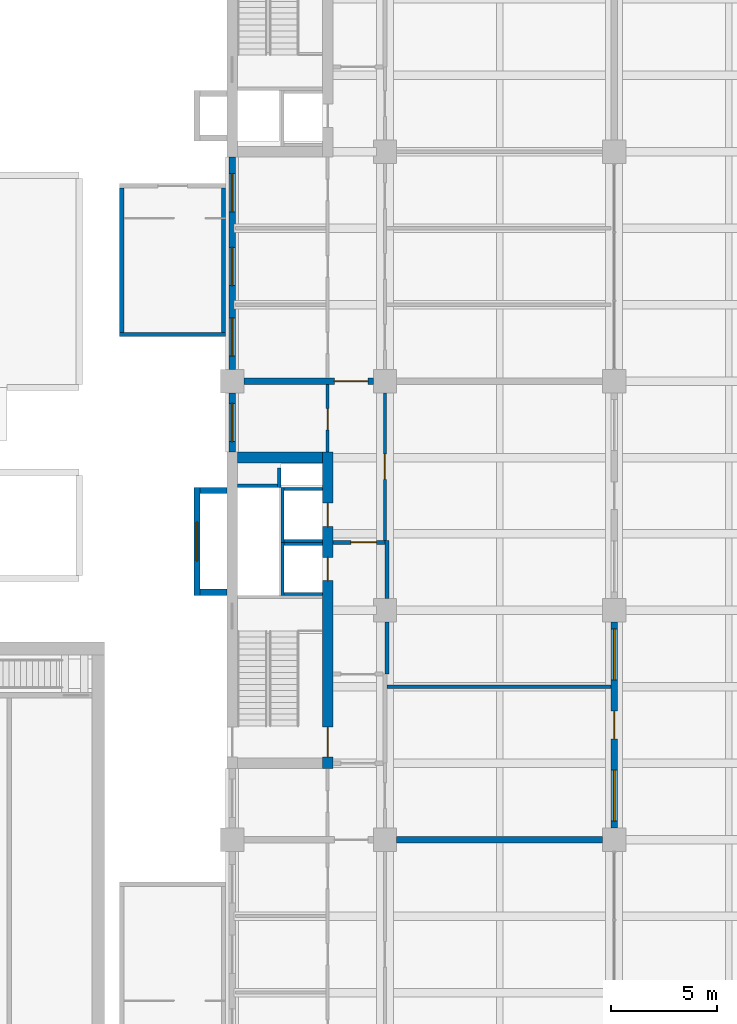
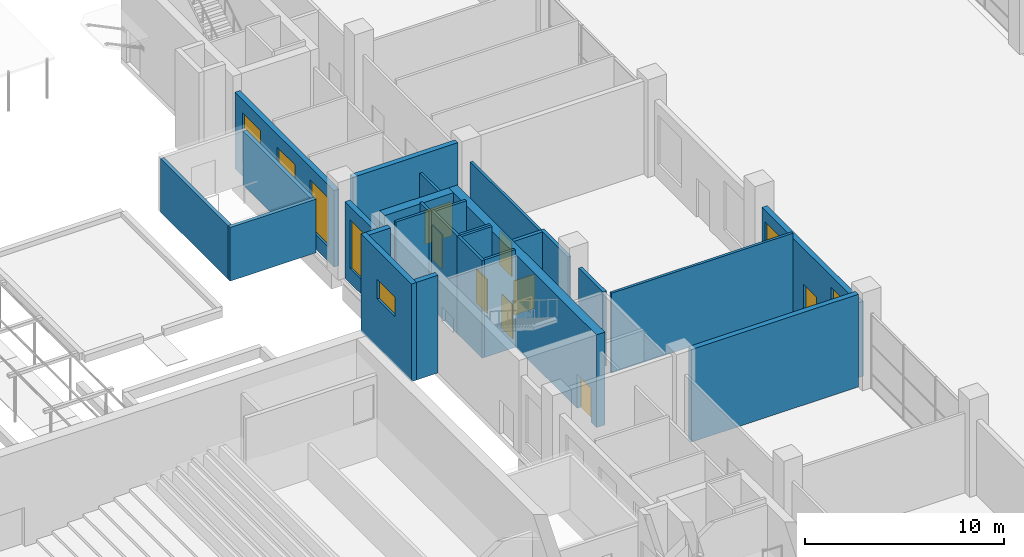
# One storey, part 49 of 71: 27 walls, 8 doors, 7 windows, 15 openings.
"""IFC4 building model written with IfcOpenShell, lengths in metres."""

import ifcopenshell
import ifcopenshell.guid

model = None  # the IFC model being written
_history = None  # IfcOwnerHistory: only IFC2X3 demands one
_inside = {}  # id of a spatial element -> (the spatial element, [elements in it])
_under = {}  # id of a project, library or spatial element -> (it, [spatial elements below it])
_declared = {}  # id of a project -> (the project, [libraries it declares])
_typed = {}  # id of a type object -> (the type object, [elements of that type])
_made_of = {}  # id of a material, layer set ... -> (it, [elements and type objects made of it])


def new_model(schema):
    """Start an empty IFC model of exactly this schema.

    Asked for "IFC4X3", IfcOpenShell would pick the latest addendum, in which some entities
    have other attributes; the version numbers below select the first issue.
    IFC2X3 requires an IfcOwnerHistory on every rooted entity: one is made here for all.
    """
    global model, _history
    if schema == "IFC4X3":
        model = ifcopenshell.file(schema_version=(4, 3, 0, 0))
    else:
        model = ifcopenshell.file(schema=schema)
    _inside.clear()
    _under.clear()
    _declared.clear()
    _typed.clear()
    _made_of.clear()
    _history = None
    if model.schema == "IFC2X3":
        org = make("IfcOrganization", Name="unknown")
        user = make(
            "IfcPersonAndOrganization",
            ThePerson=make("IfcPerson", FamilyName="unknown"),
            TheOrganization=org,
        )
        app = make(
            "IfcApplication",
            ApplicationDeveloper=org,
            Version="unknown",
            ApplicationFullName="unknown",
            ApplicationIdentifier="unknown",
        )
        _history = make(
            "IfcOwnerHistory",
            OwningUser=user,
            OwningApplication=app,
            ChangeAction="ADDED",
            CreationDate=0,
        )
    return model


def make(cls, **values):
    """One entity of the class cls with the attributes given. An attribute that is None is left unset."""
    return model.create_entity(
        cls, **{name: value for name, value in values.items() if value is not None}
    )


def rooted(cls, **values):
    """An entity with a GlobalId (a new one), such as an element, a storey or a relation."""
    return make(cls, GlobalId=ifcopenshell.guid.new(), OwnerHistory=_history, **values)


def si_unit(unit_type, name, prefix=None):
    """IfcSIUnit, for example si_unit("LENGTHUNIT", "METRE", prefix="MILLI")."""
    return make("IfcSIUnit", UnitType=unit_type, Prefix=prefix, Name=name)


def assignment(units):
    """IfcUnitAssignment: the units of a project."""
    return None if units is None else make("IfcUnitAssignment", Units=units)


def point(xyz):
    """IfcCartesianPoint."""
    return None if xyz is None else make("IfcCartesianPoint", Coordinates=xyz)


def direction(xyz):
    """IfcDirection."""
    return None if xyz is None else make("IfcDirection", DirectionRatios=xyz)


def frame(location, z_axis=None, x_axis=None):
    """IfcAxis2Placement3D, a coordinate frame: its origin and axes. An axis left out is left unset."""
    return make(
        "IfcAxis2Placement3D",
        Location=point(location),
        Axis=direction(z_axis),
        RefDirection=direction(x_axis),
    )


def frame_2d(location, x_axis=None):
    """IfcAxis2Placement2D, a coordinate frame in the plane: its origin and x axis."""
    return make(
        "IfcAxis2Placement2D", Location=point(location), RefDirection=direction(x_axis)
    )


def origin():
    """The frame at (0, 0, 0) with its axes left unset."""
    return frame((0.0, 0.0, 0.0))


def place(relative_to, where):
    """IfcLocalPlacement: puts the frame where relative to a parent placement (None: the world)."""
    return make(
        "IfcLocalPlacement", PlacementRelTo=relative_to, RelativePlacement=where
    )


def context(
    kind, dimensions, precision=None, world=None, true_north=None, identifier=None
):
    """IfcGeometricRepresentationContext, for example the 3D "Model" context."""
    return make(
        "IfcGeometricRepresentationContext",
        ContextIdentifier=identifier,
        ContextType=kind,
        CoordinateSpaceDimension=dimensions,
        Precision=precision,
        WorldCoordinateSystem=world,
        TrueNorth=true_north,
    )


def subcontext(parent, identifier, kind, view, scale=None):
    """IfcGeometricRepresentationSubContext, for example "Body" below "Model"."""
    return make(
        "IfcGeometricRepresentationSubContext",
        ContextIdentifier=identifier,
        ContextType=kind,
        ParentContext=parent,
        TargetScale=scale,
        TargetView=view,
    )


def project(units=None, contexts=None):
    """IfcProject with its units and contexts."""
    return rooted(
        "IfcProject",
        Name="project",
        RepresentationContexts=contexts,
        UnitsInContext=assignment(units),
    )


def spatial(cls, under=None, at=None, **own):
    """A site, building, storey or space (cls), placed at a placement, below another one or the project."""
    s = rooted(cls, ObjectPlacement=at, **own)
    if under is not None:
        _under.setdefault(under.id(), (under, []))[1].append(s)
    return s


def profile(cls, at=None, kind="AREA", **sizes):
    """A parametric profile (cls). Its sizes go by their IFC names, for example OverallWidth=200.0."""
    return make(cls, ProfileType=kind, Position=at, **sizes)


def rectangle(**sizes):
    """IfcRectangleProfileDef."""
    return profile("IfcRectangleProfileDef", **sizes)


def extrude(swept, where, along, depth):
    """IfcExtrudedAreaSolid: the profile swept, set in the frame where, extruded along a direction by depth."""
    return make(
        "IfcExtrudedAreaSolid",
        SweptArea=swept,
        Position=where,
        ExtrudedDirection=direction(along),
        Depth=depth,
    )


def shape(context_of_items, identifier, shape_type, items):
    """IfcShapeRepresentation: the items that make up one representation, for example the "Body"."""
    return make(
        "IfcShapeRepresentation",
        ContextOfItems=context_of_items,
        RepresentationIdentifier=identifier,
        RepresentationType=shape_type,
        Items=items,
    )


def material(Name=None, Category=None):
    """IfcMaterial."""
    return make("IfcMaterial", Name=Name, Category=Category)


def layer(
    of_material, thickness, ventilated=None, Name=None, Category=None, Priority=None
):
    """IfcMaterialLayer: one layer of a wall or slab, of a material (None: an air gap)."""
    return make(
        "IfcMaterialLayer",
        Material=of_material,
        LayerThickness=thickness,
        IsVentilated=ventilated,
        Name=Name,
        Category=Category,
        Priority=Priority,
    )


def layer_set(layers, Name=None):
    """IfcMaterialLayerSet."""
    return make("IfcMaterialLayerSet", MaterialLayers=layers, LayerSetName=Name)


def made_of(thing, what):
    """Note that an element or type object is made of a material, layer set ...; save() writes the relation."""
    if what is not None:
        _made_of.setdefault(what.id(), (what, []))[1].append(thing)
    return thing


def type_object(cls, material=None, **own):
    """A type object (cls), such as IfcWallType, which elements share."""
    return made_of(rooted(cls, **own), material)


def element(
    cls,
    number,
    at=None,
    inside=None,
    cuts=None,
    type_object=None,
    material=None,
    context=None,
    identifier="Body",
    shape_type=None,
    held_by="IfcProductDefinitionShape",
    body=None,
    shapes=None,
    **own,
):
    """One element of the class cls, such as IfcWall. Its Tag is "e" and its number.

    at: its placement. inside: the storey or other place that contains it. cuts: it is an
    opening in that element (IfcRelVoidsElement). A single representation is given by context,
    identifier, shape_type and body (its items); several are given by shapes. held_by: the class
    of the entity that holds the representations. save() writes the other relations.
    """
    e = rooted(cls, Tag="e%d" % number, ObjectPlacement=at, **own)
    if body is not None:
        shapes = [shape(context, identifier, shape_type, body)]
    if shapes is not None:
        e.Representation = make(held_by, Representations=shapes)
    if inside is not None:
        _inside.setdefault(inside.id(), (inside, []))[1].append(e)
    if cuts is not None:
        rooted(
            "IfcRelVoidsElement", RelatingBuildingElement=cuts, RelatedOpeningElement=e
        )
    if type_object is not None:
        _typed.setdefault(type_object.id(), (type_object, []))[1].append(e)
    return made_of(e, material)


def fill(opening, filler):
    """IfcRelFillsElement: the door or window that sits in an opening."""
    return rooted(
        "IfcRelFillsElement",
        RelatingOpeningElement=opening,
        RelatedBuildingElement=filler,
    )


def aggregate(whole, parts):
    """IfcRelAggregates: a whole, such as a stair, and the parts it consists of."""
    return rooted("IfcRelAggregates", RelatingObject=whole, RelatedObjects=parts)


def save(model, path):
    """Write the relations noted so far, then the file.

    IfcRelAggregates (storeys below a building ...), IfcRelContainedInSpatialStructure (elements
    in a storey), IfcRelDefinesByType, IfcRelAssociatesMaterial and IfcRelDeclares: one each for
    every whole, place, type object, material and project.
    """
    for whole, parts in _under.values():
        aggregate(whole, parts)
    for where, things in _inside.values():
        rooted(
            "IfcRelContainedInSpatialStructure",
            RelatedElements=things,
            RelatingStructure=where,
        )
    for kind, things in _typed.values():
        rooted("IfcRelDefinesByType", RelatedObjects=things, RelatingType=kind)
    for what, things in _made_of.values():
        rooted("IfcRelAssociatesMaterial", RelatedObjects=things, RelatingMaterial=what)
    for by, libraries in _declared.values():
        rooted("IfcRelDeclares", RelatingContext=by, RelatedDefinitions=libraries)
    model.write(path)


model = new_model("IFC4")

# Units and contexts
model_context = context("Model", 3, precision=1e-05, world=origin(), true_north=direction((0.0, 1.0)))
body_context = subcontext(model_context, "Body", "Model", "MODEL_VIEW")
ifc_project = project(units=[si_unit("LENGTHUNIT", "METRE"), si_unit("AREAUNIT", "SQUARE_METRE"), si_unit("VOLUMEUNIT", "CUBIC_METRE"), si_unit("PLANEANGLEUNIT", "RADIAN"), si_unit("MASSUNIT", "GRAM", prefix="KILO")], contexts=[model_context])

# Site, building, storey
site_placement = place(None, origin())
site = spatial("IfcSite", under=ifc_project, at=site_placement, CompositionType="ELEMENT")
building_placement = place(site_placement, origin())
building = spatial("IfcBuilding", under=site, at=building_placement, Name="Basin Gate Institute", CompositionType="ELEMENT")
storey_placement = place(building_placement, origin())
storey = spatial("IfcBuildingStorey", under=building, at=storey_placement, Name="L00", CompositionType="ELEMENT", Elevation=0.0)

# Wall, openings, door, windows
ifc_material_1 = material(Name="Fire-resisting board wall assembly")
ifc_layer_1 = layer(ifc_material_1, 0.300048828125)
ifc_layer_set_1 = layer_set([ifc_layer_1], Name="Atrium enclosure wall EW4")
wall_type_1 = type_object("IfcWallType", Name="Atrium enclosure wall EW4", PredefinedType="STANDARD", material=ifc_layer_set_1)
wall_1_placement = place(storey_placement, frame((79.199951171875, 57.25, 0.0), z_axis=(0.0, 0.0, 1.0), x_axis=(0.0, 1.0, 0.0)))
wall_1 = element("IfcWall", 1, at=wall_1_placement, inside=storey, type_object=wall_type_1, material=ifc_layer_set_1, Name="Atrium enclosure wall W wing bay 3 L00", PredefinedType="STANDARD", context=body_context, shape_type="SweptSolid", body=[
    extrude(rectangle(XDim=9.699951171875, YDim=0.300048828125, at=frame_2d((4.85009765625, 0.0))), origin(), (0.0, 0.0, 1.0), 4.60009765625),
])
opening_1_placement = place(wall_1_placement, frame((0.324951171875, 0.0, 0.89990234375)))
opening_1 = element("IfcOpeningElement", 2, at=opening_1_placement, cuts=wall_1, Name="Opening WN5", PredefinedType="OPENING", context=body_context, shape_type="SweptSolid", body=[
    extrude(rectangle(XDim=2.39990234375, YDim=3.0, at=frame_2d((1.199951171875, 1.5))), frame((0.0, 0.16015625, 0.0), z_axis=(0.0, -1.0, 0.0), x_axis=(1.0, 0.0, 0.0)), (0.0, 0.0, 1.0), 0.320068359375),
])
opening_2_placement = place(wall_1_placement, frame((6.97509765625, 0.0, 0.89990234375)))
opening_2 = element("IfcOpeningElement", 3, at=opening_2_placement, cuts=wall_1, Name="Opening WN5", PredefinedType="OPENING", context=body_context, shape_type="SweptSolid", body=[
    extrude(rectangle(XDim=2.39990234375, YDim=3.0, at=frame_2d((1.199951171875, 1.5))), frame((0.0, 0.16015625, 0.0), z_axis=(0.0, -1.0, 0.0), x_axis=(1.0, 0.0, 0.0)), (0.0, 0.0, 1.0), 0.320068359375),
])
opening_3_placement = place(wall_1_placement, frame((4.199951171875, 0.0, 0.0)))
opening_3 = element("IfcOpeningElement", 4, at=opening_3_placement, cuts=wall_1, Name="Opening ED101", PredefinedType="OPENING", context=body_context, shape_type="SweptSolid", body=[
    extrude(rectangle(XDim=1.300048828125, YDim=2.39990234375, at=frame_2d((0.64990234375, 1.199951171875))), frame((0.0, 0.16015625, 0.0), z_axis=(0.0, -1.0, 0.0), x_axis=(1.0, 0.0, 0.0)), (0.0, 0.0, 1.0), 0.320068359375),
])
ifc_material_2 = material(Name="Fire-resisting glazed door in aluminium frame", Category="aluminium")
door_type_1 = type_object("IfcDoorType", Name="Atrium fire door FD60A", OperationType="NOTDEFINED", PredefinedType="DOOR", material=ifc_material_2)
door_1_placement = place(opening_3_placement, frame((1.300048828125, 0.0, 0.0), z_axis=(0.0, 0.0, 1.0), x_axis=(-1.0, 0.0, 0.0)))
door_1 = element("IfcDoor", 5, at=door_1_placement, inside=storey, type_object=door_type_1, material=ifc_material_2, Name="Atrium fire door W wing bay 3", OperationType="SINGLE_SWING_RIGHT", OverallHeight=2.39990234375, OverallWidth=1.300048828125, PredefinedType="DOOR", context=body_context, shape_type="SweptSolid", body=[
    extrude(rectangle(XDim=1.300048828125, YDim=2.39990234375, at=frame_2d((0.64990234375, 1.199951171875))), frame((0.0, 0.02490234375, 0.0), z_axis=(0.0, -1.0, 0.0), x_axis=(1.0, 0.0, 0.0)), (0.0, 0.0, 1.0), 0.050048828125),
])
fill(opening_3, door_1)
ifc_material_3 = material(Name="Fire-resistant glazing in steel-free frame", Category="steel")
window_type_1 = type_object("IfcWindowType", Name="Fire-rated fixed window WN5", PartitioningType="SINGLE_PANEL", PredefinedType="WINDOW", material=ifc_material_3)
window_1_placement = place(opening_1_placement, origin())
window_1 = element("IfcWindow", 6, at=window_1_placement, inside=storey, type_object=window_type_1, material=ifc_material_3, Name="Fire-rated fixed window W wing bay 3 L00", OverallHeight=3.0, OverallWidth=2.39990234375, PartitioningType="SINGLE_PANEL", PredefinedType="WINDOW", context=body_context, shape_type="SweptSolid", body=[
    extrude(rectangle(XDim=2.39990234375, YDim=3.0, at=frame_2d((1.199951171875, 1.5))), frame((0.0, 0.030029296875, 0.0), z_axis=(0.0, -1.0, 0.0), x_axis=(1.0, 0.0, 0.0)), (0.0, 0.0, 1.0), 0.06005859375),
])
fill(opening_1, window_1)
window_2_placement = place(opening_2_placement, origin())
window_2 = element("IfcWindow", 7, at=window_2_placement, inside=storey, type_object=window_type_1, material=ifc_material_3, Name="Fire-rated fixed window W wing bay 3 L00", OverallHeight=3.0, OverallWidth=2.39990234375, PartitioningType="SINGLE_PANEL", PredefinedType="WINDOW", context=body_context, shape_type="SweptSolid", body=[
    extrude(rectangle(XDim=2.39990234375, YDim=3.0, at=frame_2d((1.199951171875, 1.5))), frame((0.0, 0.030029296875, 0.0), z_axis=(0.0, -1.0, 0.0), x_axis=(1.0, 0.0, 0.0)), (0.0, 0.0, 1.0), 0.06005859375),
])
fill(opening_2, window_2)

# Wall, opening, door
ifc_material_4 = material(Name="Fire-rated masonry", Category="masonry")
ifc_layer_2 = layer(ifc_material_4, 0.199951171875)
ifc_layer_set_2 = layer_set([ifc_layer_2], Name="Enclosure wall PW2 200 EI 60")
wall_type_2 = type_object("IfcWallType", Name="Enclosure wall PW2 200 EI 60", PredefinedType="PARTITIONING", material=ifc_layer_set_2)
wall_2_placement = place(storey_placement, frame((65.949951171875, 70.699951171875, 0.0), z_axis=(0.0, 0.0, 1.0), x_axis=(1.0, 0.0, 0.0)))
wall_2 = element("IfcWall", 8, at=wall_2_placement, inside=storey, type_object=wall_type_2, material=ifc_layer_set_2, Name="Emergency lift lobby wall PW2 L00", PredefinedType="PARTITIONING", context=body_context, shape_type="SweptSolid", body=[
    extrude(rectangle(XDim=2.449951171875, YDim=0.199951171875, at=frame_2d((1.22509765625, 0.0))), origin(), (0.0, 0.0, 1.0), 4.60009765625),
])
opening_4_placement = place(wall_2_placement, frame((0.85009765625, 0.0, 0.0)))
opening_4 = element("IfcOpeningElement", 9, at=opening_4_placement, cuts=wall_2, Name="Opening DR038", PredefinedType="OPENING", context=body_context, shape_type="SweptSolid", body=[
    extrude(rectangle(XDim=1.199951171875, YDim=2.10009765625, at=frame_2d((0.60009765625, 1.050048828125))), frame((0.0, 0.10986328125, 0.0), z_axis=(0.0, -1.0, 0.0), x_axis=(1.0, 0.0, 0.0)), (0.0, 0.0, 1.0), 0.219970703125),
])
ifc_material_5 = material(Name="Steel fire door", Category="steel")
door_type_2 = type_object("IfcDoorType", Name="FD60 Emergency lift lobby door D9", OperationType="NOTDEFINED", PredefinedType="DOOR", material=ifc_material_5)
door_2_placement = place(opening_4_placement, frame((1.199951171875, 0.0, 0.0), z_axis=(0.0, 0.0, 1.0), x_axis=(-1.0, 0.0, 0.0)))
door_2 = element("IfcDoor", 10, at=door_2_placement, inside=storey, type_object=door_type_2, material=ifc_material_5, Name="Emergency lift lobby door LF1 L00", OperationType="SINGLE_SWING_LEFT", OverallHeight=2.10009765625, OverallWidth=1.199951171875, PredefinedType="DOOR", context=body_context, shape_type="SweptSolid", body=[
    extrude(rectangle(XDim=1.199951171875, YDim=2.10009765625, at=frame_2d((0.60009765625, 1.050048828125))), frame((0.0, 0.02490234375, 0.0), z_axis=(0.0, -1.0, 0.0), x_axis=(1.0, 0.0, 0.0)), (0.0, 0.0, 1.0), 0.050048828125),
])
fill(opening_4, door_2)

# Walls
wall_3_placement = place(storey_placement, frame((68.5, 64.5, 0.0), z_axis=(0.0, 0.0, 1.0), x_axis=(0.0, 1.0, 0.0)))
element("IfcWall", 11, at=wall_3_placement, inside=storey, type_object=wall_type_2, material=ifc_layer_set_2, Name="Emergency lift lobby wall PW2 L00", PredefinedType="PARTITIONING", context=body_context, shape_type="SweptSolid", body=[
    extrude(rectangle(XDim=2.449951171875, YDim=0.199951171875, at=frame_2d((1.22509765625, 0.0))), origin(), (0.0, 0.0, 1.0), 4.60009765625),
])
wall_4_placement = place(storey_placement, frame((68.5, 68.050048828125, 0.0), z_axis=(0.0, 0.0, 1.0), x_axis=(0.0, 1.0, 0.0)))
element("IfcWall", 12, at=wall_4_placement, inside=storey, type_object=wall_type_2, material=ifc_layer_set_2, Name="Emergency lift lobby wall PW2 L00", PredefinedType="PARTITIONING", context=body_context, shape_type="SweptSolid", body=[
    extrude(rectangle(XDim=2.75, YDim=0.199951171875, at=frame_2d((1.375, 0.0))), origin(), (0.0, 0.0, 1.0), 4.60009765625),
])

# Wall, opening, window
ifc_material_6 = material(Name="Aluminium-faced insulated panel wall", Category="aluminium")
ifc_layer_3 = layer(ifc_material_6, 0.300048828125)
ifc_layer_set_3 = layer_set([ifc_layer_3], Name="External wall EW1 EI 120")
wall_type_3 = type_object("IfcWallType", Name="External wall EW1 EI 120", PredefinedType="STANDARD", material=ifc_layer_set_3)
wall_5_placement = place(storey_placement, frame((61.199951171875, 74.949951171875, 0.0), z_axis=(0.0, 0.0, 1.0), x_axis=(0.0, 1.0, 0.0)))
wall_5 = element("IfcWall", 13, at=wall_5_placement, inside=storey, type_object=wall_type_3, material=ifc_layer_set_3, Name="External wall W facade L00 3", PredefinedType="STANDARD", context=body_context, shape_type="SweptSolid", body=[
    extrude(rectangle(XDim=2.800048828125, YDim=0.300048828125, at=frame_2d((1.39990234375, 0.0))), origin(), (0.0, 0.0, 1.0), 4.699951171875),
])
opening_5_placement = place(wall_5_placement, frame((0.5, 0.0, 0.89990234375)))
opening_5 = element("IfcOpeningElement", 14, at=opening_5_placement, cuts=wall_5, Name="Opening WN2", PredefinedType="OPENING", context=body_context, shape_type="SweptSolid", body=[
    extrude(rectangle(XDim=1.800048828125, YDim=3.0, at=frame_2d((0.89990234375, 1.5))), frame((0.0, 0.16015625, 0.0), z_axis=(0.0, -1.0, 0.0), x_axis=(1.0, 0.0, 0.0)), (0.0, 0.0, 1.0), 0.320068359375),
])
ifc_material_7 = material(Name="Aluminium-framed double glazing", Category="aluminium")
window_type_2 = type_object("IfcWindowType", Name="Podium window WN2", PartitioningType="SINGLE_PANEL", PredefinedType="WINDOW", material=ifc_material_7)
window_3_placement = place(opening_5_placement, origin())
window_3 = element("IfcWindow", 15, at=window_3_placement, inside=storey, type_object=window_type_2, material=ifc_material_7, Name="Podium window W facade L00 bay 12", OverallHeight=3.0, OverallWidth=1.800048828125, PartitioningType="SINGLE_PANEL", PredefinedType="WINDOW", context=body_context, shape_type="SweptSolid", body=[
    extrude(rectangle(XDim=1.800048828125, YDim=3.0, at=frame_2d((0.89990234375, 1.5))), frame((0.0, 0.030029296875, 0.0), z_axis=(0.0, -1.0, 0.0), x_axis=(1.0, 0.0, 0.0)), (0.0, 0.0, 1.0), 0.06005859375),
])
fill(opening_5, window_3)

# Wall, openings, windows
wall_6_placement = place(storey_placement, frame((61.199951171875, 78.85009765625, 0.0), z_axis=(0.0, 0.0, 1.0), x_axis=(0.0, 1.0, 0.0)))
wall_6 = element("IfcWall", 16, at=wall_6_placement, inside=storey, type_object=wall_type_3, material=ifc_layer_set_3, Name="External wall W facade L00 4", PredefinedType="STANDARD", context=body_context, shape_type="SweptSolid", body=[
    extrude(rectangle(XDim=10.0, YDim=0.300048828125, at=frame_2d((5.0, 0.0))), origin(), (0.0, 0.0, 1.0), 4.699951171875),
])
opening_6_placement = place(wall_6_placement, frame((0.625, 0.0, 0.89990234375)))
opening_6 = element("IfcOpeningElement", 17, at=opening_6_placement, cuts=wall_6, Name="Opening WN2", PredefinedType="OPENING", context=body_context, shape_type="SweptSolid", body=[
    extrude(rectangle(XDim=1.800048828125, YDim=3.0, at=frame_2d((0.89990234375, 1.5))), frame((0.0, 0.16015625, 0.0), z_axis=(0.0, -1.0, 0.0), x_axis=(1.0, 0.0, 0.0)), (0.0, 0.0, 1.0), 0.320068359375),
])
opening_7_placement = place(wall_6_placement, frame((3.949951171875, 0.0, 0.89990234375)))
opening_7 = element("IfcOpeningElement", 18, at=opening_7_placement, cuts=wall_6, Name="Opening WN2", PredefinedType="OPENING", context=body_context, shape_type="SweptSolid", body=[
    extrude(rectangle(XDim=1.800048828125, YDim=3.0, at=frame_2d((0.89990234375, 1.5))), frame((0.0, 0.16015625, 0.0), z_axis=(0.0, -1.0, 0.0), x_axis=(1.0, 0.0, 0.0)), (0.0, 0.0, 1.0), 0.320068359375),
])
opening_8_placement = place(wall_6_placement, frame((7.425048828125, 0.0, 0.89990234375)))
opening_8 = element("IfcOpeningElement", 19, at=opening_8_placement, cuts=wall_6, Name="Opening WN2", PredefinedType="OPENING", context=body_context, shape_type="SweptSolid", body=[
    extrude(rectangle(XDim=1.800048828125, YDim=3.0, at=frame_2d((0.89990234375, 1.5))), frame((0.0, 0.16015625, 0.0), z_axis=(0.0, -1.0, 0.0), x_axis=(1.0, 0.0, 0.0)), (0.0, 0.0, 1.0), 0.320068359375),
])
window_4_placement = place(opening_6_placement, origin())
window_4 = element("IfcWindow", 20, at=window_4_placement, inside=storey, type_object=window_type_2, material=ifc_material_7, Name="Podium window W facade L00 bay 13", OverallHeight=3.0, OverallWidth=1.800048828125, PartitioningType="SINGLE_PANEL", PredefinedType="WINDOW", context=body_context, shape_type="SweptSolid", body=[
    extrude(rectangle(XDim=1.800048828125, YDim=3.0, at=frame_2d((0.89990234375, 1.5))), frame((0.0, 0.030029296875, 0.0), z_axis=(0.0, -1.0, 0.0), x_axis=(1.0, 0.0, 0.0)), (0.0, 0.0, 1.0), 0.06005859375),
])
fill(opening_6, window_4)
window_5_placement = place(opening_7_placement, origin())
window_5 = element("IfcWindow", 21, at=window_5_placement, inside=storey, type_object=window_type_2, material=ifc_material_7, Name="Podium window W facade L00 bay 14", OverallHeight=3.0, OverallWidth=1.800048828125, PartitioningType="SINGLE_PANEL", PredefinedType="WINDOW", context=body_context, shape_type="SweptSolid", body=[
    extrude(rectangle(XDim=1.800048828125, YDim=3.0, at=frame_2d((0.89990234375, 1.5))), frame((0.0, 0.030029296875, 0.0), z_axis=(0.0, -1.0, 0.0), x_axis=(1.0, 0.0, 0.0)), (0.0, 0.0, 1.0), 0.06005859375),
])
fill(opening_7, window_5)
window_6_placement = place(opening_8_placement, origin())
window_6 = element("IfcWindow", 22, at=window_6_placement, inside=storey, type_object=window_type_2, material=ifc_material_7, Name="Podium window W facade L00 bay 15", OverallHeight=3.0, OverallWidth=1.800048828125, PartitioningType="SINGLE_PANEL", PredefinedType="WINDOW", context=body_context, shape_type="SweptSolid", body=[
    extrude(rectangle(XDim=1.800048828125, YDim=3.0, at=frame_2d((0.89990234375, 1.5))), frame((0.0, 0.030029296875, 0.0), z_axis=(0.0, -1.0, 0.0), x_axis=(1.0, 0.0, 0.0)), (0.0, 0.0, 1.0), 0.06005859375),
])
fill(opening_8, window_6)

# Wall, opening, door
ifc_material_8 = material(Name="Gypsum board on steel stud", Category="steel")
ifc_layer_4 = layer(ifc_material_8, 0.14990234375)
ifc_layer_set_4 = layer_set([ifc_layer_4], Name="Gypsum board on steel stud")
wall_type_4 = type_object("IfcWallType", Name="Partition PW1 150 EI 60", PredefinedType="PARTITIONING", material=ifc_layer_set_4)
wall_7_placement = place(storey_placement, frame((65.699951171875, 74.949951171875, 0.0), z_axis=(0.0, 0.0, 1.0), x_axis=(0.0, 1.0, 0.0)))
wall_7 = element("IfcWall", 23, at=wall_7_placement, inside=storey, type_object=wall_type_4, material=ifc_layer_set_4, Name="Corridor wall PW1 L00", PredefinedType="PARTITIONING", context=body_context, shape_type="SweptSolid", body=[
    extrude(rectangle(XDim=3.199951171875, YDim=0.14990234375, at=frame_2d((1.60009765625, 0.0))), origin(), (0.0, 0.0, 1.0), 4.60009765625),
])
opening_9_placement = place(wall_7_placement, frame((1.050048828125, 0.0, 0.0)))
opening_9 = element("IfcOpeningElement", 24, at=opening_9_placement, cuts=wall_7, Name="Opening DR037", PredefinedType="OPENING", context=body_context, shape_type="SweptSolid", body=[
    extrude(rectangle(XDim=1.0, YDim=2.10009765625, at=frame_2d((0.5, 1.050048828125))), frame((0.0, 0.0849609375, 0.0), z_axis=(0.0, -1.0, 0.0), x_axis=(1.0, 0.0, 0.0)), (0.0, 0.0, 1.0), 0.169921875),
])
ifc_material_9 = material(Name="Timber fire door", Category="wood")
door_type_3 = type_object("IfcDoorType", Name="FD30 Office door D1", OperationType="NOTDEFINED", PredefinedType="DOOR", material=ifc_material_9)
door_3_placement = place(opening_9_placement, origin())
door_3 = element("IfcDoor", 25, at=door_3_placement, inside=storey, type_object=door_type_3, material=ifc_material_9, Name="Door to Write-up Office 0005 L00", OperationType="SINGLE_SWING_LEFT", OverallHeight=2.10009765625, OverallWidth=1.0, PredefinedType="DOOR", context=body_context, shape_type="SweptSolid", body=[
    extrude(rectangle(XDim=1.0, YDim=2.10009765625, at=frame_2d((0.5, 1.050048828125))), frame((0.0, 0.02490234375, 0.0), z_axis=(0.0, -1.0, 0.0), x_axis=(1.0, 0.0, 0.0)), (0.0, 0.0, 1.0), 0.050048828125),
])
fill(opening_9, door_3)

wall_8_placement = place(storey_placement, frame((68.39990234375, 70.800048828125, 0.0), z_axis=(0.0, 0.0, 1.0), x_axis=(0.0, 1.0, 0.0)))
wall_8 = element("IfcWall", 26, at=wall_8_placement, inside=storey, type_object=wall_type_4, material=ifc_layer_set_4, Name="Laboratory corridor wall PW1 L00", PredefinedType="PARTITIONING", context=body_context, shape_type="SweptSolid", body=[
    extrude(rectangle(XDim=6.949951171875, YDim=0.14990234375, at=frame_2d((3.47509765625, 0.0))), origin(), (0.0, 0.0, 1.0), 4.60009765625),
])
opening_10_placement = place(wall_8_placement, frame((2.875, 0.0, 0.0)))
opening_10 = element("IfcOpeningElement", 27, at=opening_10_placement, cuts=wall_8, Name="Opening DR028", PredefinedType="OPENING", context=body_context, shape_type="SweptSolid", body=[
    extrude(rectangle(XDim=1.199951171875, YDim=2.10009765625, at=frame_2d((0.60009765625, 1.050048828125))), frame((0.0, 0.0849609375, 0.0), z_axis=(0.0, -1.0, 0.0), x_axis=(1.0, 0.0, 0.0)), (0.0, 0.0, 1.0), 0.169921875),
])
ifc_material_10 = material(Name="Timber fire door", Category="wood")
door_type_4 = type_object("IfcDoorType", Name="FD30 Laboratory door D2", OperationType="DOUBLE_DOOR_SINGLE_SWING", PredefinedType="DOOR", material=ifc_material_10)
door_4_placement = place(opening_10_placement, frame((1.199951171875, 0.0, 0.0), z_axis=(0.0, 0.0, 1.0), x_axis=(-1.0, 0.0, 0.0)))
door_4 = element("IfcDoor", 28, at=door_4_placement, inside=storey, type_object=door_type_4, material=ifc_material_10, Name="Door to Exhibition Gallery 0020 L00", OperationType="DOUBLE_DOOR_SINGLE_SWING", OverallHeight=2.10009765625, OverallWidth=1.199951171875, PredefinedType="DOOR", context=body_context, shape_type="SweptSolid", body=[
    extrude(rectangle(XDim=1.199951171875, YDim=2.10009765625, at=frame_2d((0.60009765625, 1.050048828125))), frame((0.0, 0.02490234375, 0.0), z_axis=(0.0, -1.0, 0.0), x_axis=(1.0, 0.0, 0.0)), (0.0, 0.0, 1.0), 0.050048828125),
])
fill(opening_10, door_4)

# Walls
wall_9_placement = place(storey_placement, frame((68.5, 63.89990234375, 0.0), z_axis=(0.0, 0.0, 1.0), x_axis=(1.0, 0.0, 0.0)))
element("IfcWall", 29, at=wall_9_placement, inside=storey, type_object=wall_type_4, material=ifc_layer_set_4, Name="Laboratory partition PW1 L00", PredefinedType="PARTITIONING", context=body_context, shape_type="SweptSolid", body=[
    extrude(rectangle(XDim=10.550048828125, YDim=0.14990234375, at=frame_2d((5.27490234375, 0.0))), origin(), (0.0, 0.0, 1.0), 4.89990234375),
])
ifc_material_11 = material(Name="Concrete 35 MPa", Category="concrete")
ifc_layer_5 = layer(ifc_material_11, 0.199951171875)
ifc_layer_set_5 = layer_set([ifc_layer_5], Name="Concrete 35 MPa")
wall_type_5 = type_object("IfcWallType", Name="Stair head house wall 200", PredefinedType="SOLIDWALL", material=ifc_layer_set_5)
wall_10_placement = place(storey_placement, frame((55.89990234375, 80.5, 0.0), z_axis=(0.0, 0.0, 1.0), x_axis=(1.0, 0.0, 0.0)))
element("IfcWall", 30, at=wall_10_placement, inside=storey, type_object=wall_type_5, material=ifc_layer_set_5, Name="Stair head house BS2 wall", PredefinedType="SOLIDWALL", context=body_context, shape_type="SweptSolid", body=[
    extrude(rectangle(XDim=5.0, YDim=0.199951171875, at=frame_2d((2.5, 0.0))), origin(), (0.0, 0.0, 1.0), 3.300048828125),
])
for number, where, z_axis, x_axis, name in (
    (31, (56.0, 80.60009765625, 0.0), (0.0, 0.0, 1.0), (0.0, 1.0, 0.0), "Stair head house BS2 wall"),
    (32, (60.800048828125, 80.60009765625, 0.0), (0.0, 0.0, 1.0), (0.0, 1.0, 0.0), "Stair head house BS2 wall"),
):
    element("IfcWall", number, at=place(storey_placement, frame(where, z_axis=z_axis, x_axis=x_axis)), inside=storey, type_object=wall_type_5, material=ifc_layer_set_5, Name=name, PredefinedType="SOLIDWALL", context=body_context, shape_type="SweptSolid", body=[
        extrude(rectangle(XDim=6.7998046875, YDim=0.199951171875, at=frame_2d((3.39990234375, 0.0))), origin(), (0.0, 0.0, 1.0), 3.300048828125),
    ])
ifc_material_12 = material(Name="Concrete 40 MPa", Category="concrete")
ifc_layer_6 = layer(ifc_material_12, 0.14990234375)
ifc_layer_set_6 = layer_set([ifc_layer_6], Name="Concrete 40 MPa")
wall_type_6 = type_object("IfcWallType", Name="Wall LS1 lift shaft enclosure R180", PredefinedType="SOLIDWALL", material=ifc_layer_set_6)
wall_11_placement = place(storey_placement, frame((63.574951171875, 68.199951171875, 0.0), z_axis=(0.0, 0.0, 1.0), x_axis=(0.0, 1.0, 0.0)))
element("IfcWall", 33, at=wall_11_placement, inside=storey, type_object=wall_type_6, material=ifc_layer_set_6, Name="Lift shaft enclosure LF1 L00 UL", PredefinedType="SOLIDWALL", context=body_context, shape_type="SweptSolid", body=[
    extrude(rectangle(XDim=2.5, YDim=0.14990234375, at=frame_2d((1.25, 0.0))), origin(), (0.0, 0.0, 1.0), 6.0),
])
for number, where, z_axis, x_axis, name in (
    (34, (63.64990234375, 68.27490234375, 0.0), (0.0, 0.0, 1.0), (1.0, 0.0, 0.0), "Lift shaft enclosure LF1 L00 RL"),
    (35, (63.64990234375, 70.625, 0.0), (0.0, 0.0, 1.0), (1.0, 0.0, 0.0), "Lift shaft enclosure LF1 L00 RH"),
):
    element("IfcWall", number, at=place(storey_placement, frame(where, z_axis=z_axis, x_axis=x_axis)), inside=storey, type_object=wall_type_6, material=ifc_layer_set_6, Name=name, PredefinedType="SOLIDWALL", context=body_context, shape_type="SweptSolid", body=[
        extrude(rectangle(XDim=1.800048828125, YDim=0.14990234375, at=frame_2d((0.89990234375, 0.0))), origin(), (0.0, 0.0, 1.0), 6.0),
    ])
wall_12_placement = place(storey_placement, frame((63.574951171875, 70.699951171875, 0.0), z_axis=(0.0, 0.0, 1.0), x_axis=(0.0, 1.0, 0.0)))
element("IfcWall", 36, at=wall_12_placement, inside=storey, type_object=wall_type_6, material=ifc_layer_set_6, Name="Lift shaft enclosure LP2 L00 UL", PredefinedType="SOLIDWALL", context=body_context, shape_type="SweptSolid", body=[
    extrude(rectangle(XDim=2.60009765625, YDim=0.14990234375, at=frame_2d((1.300048828125, 0.0))), origin(), (0.0, 0.0, 1.0), 6.0),
])
for number, where, z_axis, x_axis, name in (
    (37, (63.64990234375, 70.77490234375, 0.0), (0.0, 0.0, 1.0), (1.0, 0.0, 0.0), "Lift shaft enclosure LP2 L00 RL"),
    (38, (63.64990234375, 73.22509765625, 0.0), (0.0, 0.0, 1.0), (1.0, 0.0, 0.0), "Lift shaft enclosure LP2 L00 RH"),
):
    element("IfcWall", number, at=place(storey_placement, frame(where, z_axis=z_axis, x_axis=x_axis)), inside=storey, type_object=wall_type_6, material=ifc_layer_set_6, Name=name, PredefinedType="SOLIDWALL", context=body_context, shape_type="SweptSolid", body=[
        extrude(rectangle(XDim=1.800048828125, YDim=0.14990234375, at=frame_2d((0.89990234375, 0.0))), origin(), (0.0, 0.0, 1.0), 6.0),
    ])
ifc_material_13 = material(Name="Concrete 40 MPa", Category="concrete")
ifc_layer_7 = layer(ifc_material_13, 0.14990234375)
ifc_layer_set_7 = layer_set([ifc_layer_7], Name="Concrete 40 MPa")
wall_type_7 = type_object("IfcWallType", Name="Wall RS1 riser shaft enclosure R180", PredefinedType="SOLIDWALL", material=ifc_layer_set_7)
wall_13_placement = place(storey_placement, frame((61.449951171875, 73.375, 0.0), z_axis=(0.0, 0.0, 1.0), x_axis=(1.0, 0.0, 0.0)))
element("IfcWall", 39, at=wall_13_placement, inside=storey, type_object=wall_type_7, material=ifc_layer_set_7, Name="Riser shaft enclosure WM L00 N", PredefinedType="SOLIDWALL", context=body_context, shape_type="SweptSolid", body=[
    extrude(rectangle(XDim=1.900146484375, YDim=0.14990234375, at=frame_2d((0.9501953125, 0.0))), origin(), (0.0, 0.0, 1.0), 6.0),
])
wall_14_placement = place(storey_placement, frame((63.425048828125, 73.300048828125, 0.0), z_axis=(0.0, 0.0, 1.0), x_axis=(0.0, 1.0, 0.0)))
element("IfcWall", 40, at=wall_14_placement, inside=storey, type_object=wall_type_7, material=ifc_layer_set_7, Name="Riser shaft enclosure WM L00 W", PredefinedType="SOLIDWALL", context=body_context, shape_type="SweptSolid", body=[
    extrude(rectangle(XDim=0.89990234375, YDim=0.14990234375, at=frame_2d((0.449951171875, 0.0))), origin(), (0.0, 0.0, 1.0), 6.0),
])

# Wall, opening, window
ifc_material_14 = material(Name="Concrete 50 MPa", Category="concrete")
ifc_layer_8 = layer(ifc_material_14, 0.300048828125)
ifc_layer_set_8 = layer_set([ifc_layer_8], Name="Concrete 50 MPa")
wall_type_8 = type_object("IfcWallType", Name="Wall SK1 R180", PredefinedType="SHEAR", material=ifc_layer_set_8)
wall_15_placement = place(storey_placement, frame((59.550048828125, 68.199951171875, 0.0), z_axis=(0.0, 0.0, 1.0), x_axis=(0.0, 1.0, 0.0)))
wall_15 = element("IfcWall", 41, at=wall_15_placement, inside=storey, type_object=wall_type_8, material=ifc_layer_set_8, Name="Spine riser stack wall SK1 WM F L00", PredefinedType="SHEAR", context=body_context, shape_type="SweptSolid", body=[
    extrude(rectangle(XDim=5.10009765625, YDim=0.300048828125, at=frame_2d((2.550048828125, 0.0))), origin(), (0.0, 0.0, 1.0), 6.0),
])
opening_11_placement = place(wall_15_placement, frame((1.64990234375, 0.0, 3.0)))
opening_11 = element("IfcOpeningElement", 42, at=opening_11_placement, cuts=wall_15, Name="Opening WL1", PredefinedType="OPENING", context=body_context, shape_type="SweptSolid", body=[
    extrude(rectangle(XDim=1.800048828125, YDim=1.199951171875, at=frame_2d((0.89990234375, 0.60009765625))), frame((0.0, 0.16015625, 0.0), z_axis=(0.0, -1.0, 0.0), x_axis=(1.0, 0.0, 0.0)), (0.0, 0.0, 1.0), 0.320068359375),
])
ifc_material_15 = material(Name="Aluminium louvre blades with fire damper", Category="aluminium")
window_type_3 = type_object("IfcWindowType", Name="Riser louvre EI 180 WL1", PartitioningType="SINGLE_PANEL", PredefinedType="WINDOW", material=ifc_material_15)
window_7_placement = place(opening_11_placement, origin())
window_7 = element("IfcWindow", 43, at=window_7_placement, inside=storey, type_object=window_type_3, material=ifc_material_15, Name="Riser louvre EI 180 WM riser 1 L00", OverallHeight=1.199951171875, OverallWidth=1.800048828125, PartitioningType="SINGLE_PANEL", PredefinedType="WINDOW", context=body_context, shape_type="SweptSolid", body=[
    extrude(rectangle(XDim=1.800048828125, YDim=1.199951171875, at=frame_2d((0.89990234375, 0.60009765625))), frame((0.0, 0.030029296875, 0.0), z_axis=(0.0, -1.0, 0.0), x_axis=(1.0, 0.0, 0.0)), (0.0, 0.0, 1.0), 0.06005859375),
])
fill(opening_11, window_7)

# Walls
for number, where, z_axis, x_axis, name in (
    (44, (60.949951171875, 68.35009765625, 0.0), (0.0, 0.0, 1.0), (-1.0, 0.0, 0.0), "Spine riser stack wall SK1 WM A L00"),
    (45, (60.949951171875, 73.14990234375, 0.0), (0.0, 0.0, 1.0), (-1.0, 0.0, 0.0), "Spine riser stack wall SK1 WM B L00"),
):
    element("IfcWall", number, at=place(storey_placement, frame(where, z_axis=z_axis, x_axis=x_axis)), inside=storey, type_object=wall_type_8, material=ifc_layer_set_8, Name=name, PredefinedType="SHEAR", context=body_context, shape_type="SweptSolid", body=[
        extrude(rectangle(XDim=1.25, YDim=0.300048828125, at=frame_2d((0.625, 0.0))), origin(), (0.0, 0.0, 1.0), 6.0),
    ])

# Wall, openings, doors
ifc_material_16 = material(Name="Concrete 60 MPa", Category="concrete")
ifc_layer_9 = layer(ifc_material_16, 0.5)
ifc_layer_set_9 = layer_set([ifc_layer_9], Name="Concrete 60 MPa")
wall_type_9 = type_object("IfcWallType", Name="Wall SW1 R180", PredefinedType="SHEAR", material=ifc_layer_set_9)
wall_16_placement = place(storey_placement, frame((65.699951171875, 60.050048828125, 0.0), z_axis=(0.0, 0.0, 1.0), x_axis=(0.0, 1.0, 0.0)))
wall_16 = element("IfcWall", 46, at=wall_16_placement, inside=storey, type_object=wall_type_9, material=ifc_layer_set_9, Name="WALL/L00/WM/C", PredefinedType="SHEAR", context=body_context, shape_type="SweptSolid", body=[
    extrude(rectangle(XDim=14.89990234375, YDim=0.5, at=frame_2d((7.449951171875, 0.0))), origin(), (0.0, 0.0, 1.0), 5.699951171875),
])
opening_12_placement = place(wall_16_placement, frame((0.550048828125, 0.0, 0.0)))
opening_12 = element("IfcOpeningElement", 47, at=opening_12_placement, cuts=wall_16, Name="Opening DS002", PredefinedType="OPENING", context=body_context, shape_type="SweptSolid", body=[
    extrude(rectangle(XDim=1.39990234375, YDim=2.10009765625, at=frame_2d((0.699951171875, 1.050048828125))), frame((0.0, 0.260009765625, 0.0), z_axis=(0.0, -1.0, 0.0), x_axis=(1.0, 0.0, 0.0)), (0.0, 0.0, 1.0), 0.52001953125),
])
opening_13_placement = place(wall_16_placement, frame((8.85009765625, 0.0, 0.0)))
opening_13 = element("IfcOpeningElement", 48, at=opening_13_placement, cuts=wall_16, Name="Opening LD020", PredefinedType="OPENING", context=body_context, shape_type="SweptSolid", body=[
    extrude(rectangle(XDim=1.10009765625, YDim=2.10009765625, at=frame_2d((0.550048828125, 1.050048828125))), frame((0.0, 0.260009765625, 0.0), z_axis=(0.0, -1.0, 0.0), x_axis=(1.0, 0.0, 0.0)), (0.0, 0.0, 1.0), 0.52001953125),
])
opening_14_placement = place(wall_16_placement, frame((11.39990234375, 0.0, 0.0)))
opening_14 = element("IfcOpeningElement", 49, at=opening_14_placement, cuts=wall_16, Name="Opening LD038", PredefinedType="OPENING", context=body_context, shape_type="SweptSolid", body=[
    extrude(rectangle(XDim=1.10009765625, YDim=2.10009765625, at=frame_2d((0.550048828125, 1.050048828125))), frame((0.0, 0.260009765625, 0.0), z_axis=(0.0, -1.0, 0.0), x_axis=(1.0, 0.0, 0.0)), (0.0, 0.0, 1.0), 0.52001953125),
])
ifc_material_17 = material(Name="Steel fire door", Category="steel")
door_type_5 = type_object("IfcDoorType", Name="FD60 Exit-level stair enclosure door DSX", OperationType="DOUBLE_DOOR_SINGLE_SWING", PredefinedType="DOOR", material=ifc_material_17)
door_5_placement = place(opening_12_placement, origin())
door_5 = element("IfcDoor", 50, at=door_5_placement, inside=storey, type_object=door_type_5, material=ifc_material_17, Name="Stair enclosure door ST-WM L00", OperationType="DOUBLE_DOOR_SINGLE_SWING", OverallHeight=2.10009765625, OverallWidth=1.39990234375, PredefinedType="DOOR", context=body_context, shape_type="SweptSolid", body=[
    extrude(rectangle(XDim=1.39990234375, YDim=2.10009765625, at=frame_2d((0.699951171875, 1.050048828125))), frame((0.0, 0.02490234375, 0.0), z_axis=(0.0, -1.0, 0.0), x_axis=(1.0, 0.0, 0.0)), (0.0, 0.0, 1.0), 0.050048828125),
])
fill(opening_12, door_5)
ifc_material_18 = material(Name="Stainless steel", Category="steel")
door_type_6 = type_object("IfcDoorType", Name="FD60 Lift landing door LD", OperationType="SLIDING_TO_LEFT", PredefinedType="DOOR", material=ifc_material_18)
door_6_placement = place(opening_13_placement, origin())
door_6 = element("IfcDoor", 51, at=door_6_placement, inside=storey, type_object=door_type_6, material=ifc_material_18, Name="Lift landing door LF1 L00", OperationType="SLIDING_TO_LEFT", OverallHeight=2.10009765625, OverallWidth=1.10009765625, PredefinedType="DOOR", context=body_context, shape_type="SweptSolid", body=[
    extrude(rectangle(XDim=1.10009765625, YDim=2.10009765625, at=frame_2d((0.550048828125, 1.050048828125))), frame((0.0, 0.02490234375, 0.0), z_axis=(0.0, -1.0, 0.0), x_axis=(1.0, 0.0, 0.0)), (0.0, 0.0, 1.0), 0.050048828125),
])
fill(opening_13, door_6)
door_7_placement = place(opening_14_placement, origin())
door_7 = element("IfcDoor", 52, at=door_7_placement, inside=storey, type_object=door_type_6, material=ifc_material_18, Name="Lift landing door LP2 L00", OperationType="SLIDING_TO_LEFT", OverallHeight=2.10009765625, OverallWidth=1.10009765625, PredefinedType="DOOR", context=body_context, shape_type="SweptSolid", body=[
    extrude(rectangle(XDim=1.10009765625, YDim=2.10009765625, at=frame_2d((0.550048828125, 1.050048828125))), frame((0.0, 0.02490234375, 0.0), z_axis=(0.0, -1.0, 0.0), x_axis=(1.0, 0.0, 0.0)), (0.0, 0.0, 1.0), 0.050048828125),
])
fill(opening_14, door_7)

# Walls
wall_17_placement = place(storey_placement, frame((61.449951171875, 74.699951171875, 0.0), z_axis=(0.0, 0.0, 1.0), x_axis=(1.0, 0.0, 0.0)))
element("IfcWall", 53, at=wall_17_placement, inside=storey, type_object=wall_type_9, material=ifc_layer_set_9, Name="WALL/L00/WM/N", PredefinedType="SHEAR", context=body_context, shape_type="SweptSolid", body=[
    extrude(rectangle(XDim=4.0, YDim=0.5, at=frame_2d((2.0, 0.0))), origin(), (0.0, 0.0, 1.0), 5.699951171875),
])
ifc_material_19 = material(Name="Concrete 50 MPa", Category="concrete")
ifc_layer_10 = layer(ifc_material_19, 0.300048828125)
ifc_layer_set_10 = layer_set([ifc_layer_10], Name="Concrete 50 MPa")
wall_type_10 = type_object("IfcWallType", Name="Wall XW1 R180", PredefinedType="SHEAR", material=ifc_layer_set_10)
wall_18_placement = place(storey_placement, frame((68.949951171875, 56.699951171875, 0.0), z_axis=(0.0, 0.0, 1.0), x_axis=(1.0, 0.0, 0.0)))
element("IfcWall", 54, at=wall_18_placement, inside=storey, type_object=wall_type_10, material=ifc_layer_set_10, Name="WALL/L00/WXC/2", PredefinedType="SHEAR", context=body_context, shape_type="SweptSolid", body=[
    extrude(rectangle(XDim=9.699951171875, YDim=0.300048828125, at=frame_2d((4.85009765625, 0.0))), origin(), (0.0, 0.0, 1.0), 5.699951171875),
])

# Wall, opening, door
wall_19_placement = place(storey_placement, frame((61.75, 78.300048828125, 0.0), z_axis=(0.0, 0.0, 1.0), x_axis=(1.0, 0.0, 0.0)))
wall_19 = element("IfcWall", 55, at=wall_19_placement, inside=storey, type_object=wall_type_10, material=ifc_layer_set_10, Name="WALL/L00/WXE/1", PredefinedType="SHEAR", context=body_context, shape_type="SweptSolid", body=[
    extrude(rectangle(XDim=6.10009765625, YDim=0.300048828125, at=frame_2d((3.050048828125, 0.0))), origin(), (0.0, 0.0, 1.0), 5.699951171875),
])
opening_15_placement = place(wall_19_placement, frame((4.262451171875, 0.0, 0.0)))
opening_15 = element("IfcOpeningElement", 56, at=opening_15_placement, cuts=wall_19, Name="Opening DR044", PredefinedType="OPENING", context=body_context, shape_type="SweptSolid", body=[
    extrude(rectangle(XDim=1.60009765625, YDim=2.10009765625, at=frame_2d((0.800048828125, 1.050048828125))), frame((0.0, 0.16015625, 0.0), z_axis=(0.0, -1.0, 0.0), x_axis=(1.0, 0.0, 0.0)), (0.0, 0.0, 1.0), 0.320068359375),
])
ifc_material_20 = material(Name="Steel fire door", Category="steel")
door_type_7 = type_object("IfcDoorType", Name="FD60 Compartment door pair D7", OperationType="DOUBLE_DOOR_SINGLE_SWING", PredefinedType="DOOR", material=ifc_material_20)
door_8_placement = place(opening_15_placement, frame((1.60009765625, 0.0, 0.0), z_axis=(0.0, 0.0, 1.0), x_axis=(-1.0, 0.0, 0.0)))
door_8 = element("IfcDoor", 57, at=door_8_placement, inside=storey, type_object=door_type_7, material=ifc_material_20, Name="Compartment door pair L00 W2 L00", OperationType="DOUBLE_DOOR_SINGLE_SWING", OverallHeight=2.10009765625, OverallWidth=1.60009765625, PredefinedType="DOOR", context=body_context, shape_type="SweptSolid", body=[
    extrude(rectangle(XDim=1.60009765625, YDim=2.10009765625, at=frame_2d((0.800048828125, 1.050048828125))), frame((0.0, 0.02490234375, 0.0), z_axis=(0.0, -1.0, 0.0), x_axis=(1.0, 0.0, 0.0)), (0.0, 0.0, 1.0), 0.050048828125),
])
fill(opening_15, door_8)

save(model, "model.ifc")
